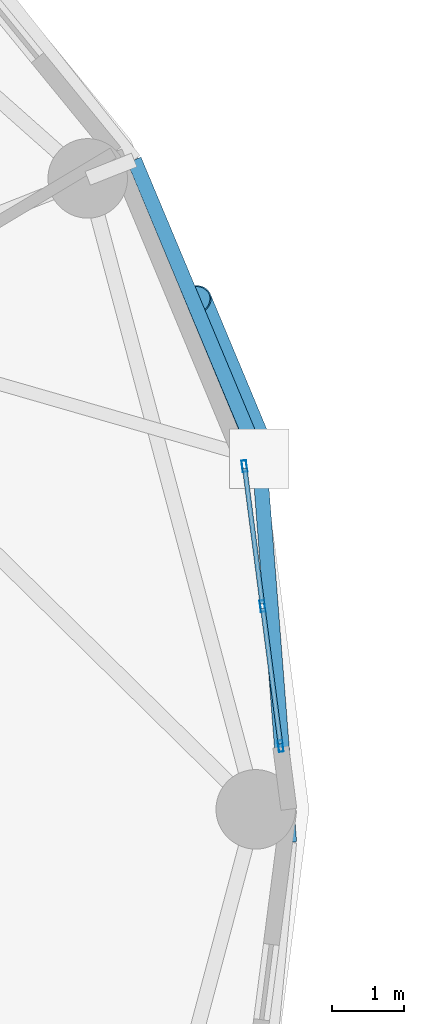
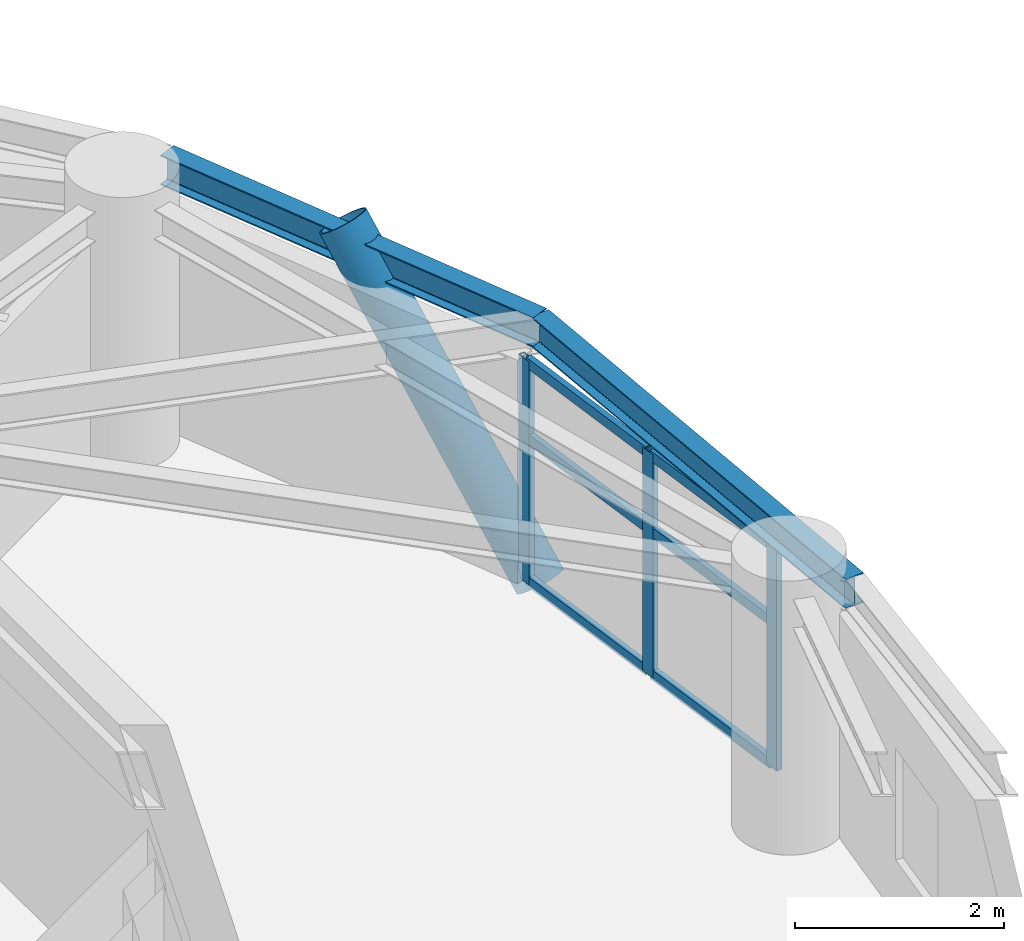
# One storey, part 3 of 16: 10 members, 2 beams, 1 element without a shape of its own.
"""IFC4 building model written with IfcOpenShell, lengths in metres."""

from ifc_helpers import new_model, si_unit, direction, frame, origin, origin_2d, place, context, subcontext, project, spatial, hollow_rectangle, hollow_circle, i_section, extrude, material, layer, layer_set, material_profile, profile_set, type_object, element, aggregate, save


model = new_model("IFC4")

# Units and contexts
model_context = context("Model", 3, precision=1e-05, world=origin(), true_north=direction((0.0, 1.0)))
body_context = subcontext(model_context, "Body", "Model", "MODEL_VIEW")
ifc_project = project(units=[si_unit("LENGTHUNIT", "METRE"), si_unit("AREAUNIT", "SQUARE_METRE"), si_unit("VOLUMEUNIT", "CUBIC_METRE"), si_unit("PLANEANGLEUNIT", "RADIAN"), si_unit("MASSUNIT", "GRAM", prefix="KILO")], contexts=[model_context])

# Site, building, storey
site_placement = place(None, origin())
site = spatial("IfcSite", under=ifc_project, at=site_placement, CompositionType="ELEMENT")
building_placement = place(site_placement, origin())
building = spatial("IfcBuilding", under=site, at=building_placement, Name="Cununo Teusaquillo Station Towers", CompositionType="ELEMENT")
storey_placement = place(building_placement, frame((0.0, 0.0, 226.050048828125)))
storey = spatial("IfcBuildingStorey", under=building, at=storey_placement, Name="L72", CompositionType="ELEMENT", Elevation=226.050048828125)

# Beams
ifc_material_1 = material(Name="Steel ASTM A572 Grade 50", Category="steel")
ifc_material_profile_1 = material_profile(ifc_material_1, i_section(OverallWidth=0.2041015625, OverallDepth=0.35009765625, WebThickness=0.008544921875, FlangeThickness=0.01513671875, FilletRadius=0.011962890625, at=origin_2d()), Name="W14X48")
ifc_profile_set_1 = profile_set([ifc_material_profile_1], Name="Steel ASTM A572 Grade 50")
beam_type = type_object("IfcBeamType", Name="BM-RING-Z4", PredefinedType="SPANDREL", material=ifc_profile_set_1)
beam_1_placement = place(storey_placement, frame((29.135498046875, 24.044189453125, 2.81494140625), z_axis=(-0.077871988965, 0.996963366095, 0.0), x_axis=(-0.996963366095, -0.077871988965, 0.0)))
element("IfcBeam", 1, at=beam_1_placement, inside=storey, type_object=beam_type, Name="L72 Tower A Spandrel Ring Beam 01", PredefinedType="SPANDREL", context=body_context, shape_type="SweptSolid", body=[
    extrude(i_section(OverallWidth=0.2041015625, OverallDepth=0.35009765625, WebThickness=0.008544921875, FlangeThickness=0.01513671875, FilletRadius=0.011962890625, at=origin_2d()), origin(), (0.0, 0.0, 1.0), 5.3203125),
])
beam_2_placement = place(storey_placement, frame((28.72119140625, 29.348388671875, 2.81494140625), z_axis=(-0.386115454066, 0.922450462698, 0.0), x_axis=(-0.922450462698, -0.386115454066, 0.0)))
element("IfcBeam", 2, at=beam_2_placement, inside=storey, type_object=beam_type, Name="L72 Tower A Spandrel Ring Beam 02", PredefinedType="SPANDREL", context=body_context, shape_type="SweptSolid", body=[
    extrude(i_section(OverallWidth=0.2041015625, OverallDepth=0.35009765625, WebThickness=0.008544921875, FlangeThickness=0.01513671875, FilletRadius=0.011962890625, at=origin_2d()), origin(), (0.0, 0.0, 1.0), 4.482421875),
])

# Curtain wall, members
ifc_material_2 = material(Name="Ceramic-fritted dark low-E double glazing", Category="glass")
ifc_layer = layer(ifc_material_2, 0.179931640625)
ifc_layer_set = layer_set([ifc_layer], Name="Ceramic-fritted dark low-E double glazing")
curtain_wall_type = type_object("IfcCurtainWallType", Name="CW-SYS-07", PredefinedType="USERDEFINED", material=ifc_layer_set)
curtain_wall_placement = place(storey_placement, origin())
curtain_wall = element("IfcCurtainWall", 3, at=curtain_wall_placement, inside=storey, type_object=curtain_wall_type, Name="L72 Tower A Facade Curtain Wall C00", ObjectType="FRITTED GLAZING", PredefinedType="USERDEFINED")
ifc_material_3 = material(Name="Anodised dark bronze aluminium EN AW-6063-T6", Category="aluminium")
ifc_material_profile_2 = material_profile(ifc_material_3, hollow_rectangle(XDim=0.06494140625, YDim=0.159912109375, WallThickness=0.00390625, at=origin_2d()), Name="CW-MULL-65x160")
ifc_profile_set_2 = profile_set([ifc_material_profile_2], Name="Anodised dark bronze aluminium EN AW-6063-T6")
member_type_1 = type_object("IfcMemberType", Name="CWM-160", PredefinedType="MULLION", material=ifc_profile_set_2)
member_1_placement = place(storey_placement, frame((28.515869140625, 29.248291015625, 0.0), z_axis=(0.0, 0.0, 1.0), x_axis=(0.991741528461, 0.12825264413, 0.0)))
member_1 = element("IfcMember", 4, at=member_1_placement, type_object=member_type_1, Name="CW-07 mullion 1", PredefinedType="MULLION", context=body_context, shape_type="SweptSolid", body=[
    extrude(hollow_rectangle(XDim=0.06494140625, YDim=0.159912109375, WallThickness=0.00390625, at=origin_2d()), origin(), (0.0, 0.0, 1.0), 2.612060546875),
])
member_2_placement = place(storey_placement, frame((28.766357421875, 27.311767578125, 0.0), z_axis=(0.0, 0.0, 1.0), x_axis=(0.991741528461, 0.12825264413, 0.0)))
member_2 = element("IfcMember", 5, at=member_2_placement, type_object=member_type_1, Name="CW-07 mullion 2", PredefinedType="MULLION", context=body_context, shape_type="SweptSolid", body=[
    extrude(hollow_rectangle(XDim=0.06494140625, YDim=0.159912109375, WallThickness=0.00390625, at=origin_2d()), origin(), (0.0, 0.0, 1.0), 2.612060546875),
])
member_3_placement = place(storey_placement, frame((29.016845703125, 25.375244140625, 0.0), z_axis=(0.0, 0.0, 1.0), x_axis=(0.991741528461, 0.12825264413, 0.0)))
member_3 = element("IfcMember", 6, at=member_3_placement, type_object=member_type_1, Name="CW-07 mullion 3", PredefinedType="MULLION", context=body_context, shape_type="SweptSolid", body=[
    extrude(hollow_rectangle(XDim=0.06494140625, YDim=0.159912109375, WallThickness=0.00390625, at=origin_2d()), origin(), (0.0, 0.0, 1.0), 2.612060546875),
])
ifc_material_4 = material(Name="Anodised dark bronze aluminium EN AW-6063-T6", Category="aluminium")
ifc_material_profile_3 = material_profile(ifc_material_4, hollow_rectangle(XDim=0.06494140625, YDim=0.1201171875, WallThickness=0.00390625, at=origin_2d()), Name="CW-TRAN-65x120")
ifc_profile_set_3 = profile_set([ifc_material_profile_3], Name="Anodised dark bronze aluminium EN AW-6063-T6")
member_type_2 = type_object("IfcMemberType", Name="CWT-120", PredefinedType="USERDEFINED", material=ifc_profile_set_3)
member_4_placement = place(storey_placement, frame((28.52001953125, 29.216064453125, 0.032470703125), z_axis=(0.128299630595, -0.99173545101, 0.0), x_axis=(0.99173545101, 0.128299630595, 0.0)))
member_4 = element("IfcMember", 7, at=member_4_placement, type_object=member_type_2, Name="CW-07 transom 1.1", ObjectType="TRANSOM", PredefinedType="USERDEFINED", context=body_context, shape_type="SweptSolid", body=[
    extrude(hollow_rectangle(XDim=0.06494140625, YDim=0.1201171875, WallThickness=0.00390625, at=origin_2d()), origin(), (0.0, 0.0, 1.0), 1.8876953125),
])
member_5_placement = place(storey_placement, frame((28.52001953125, 29.216064453125, 1.697998046875), z_axis=(0.128299630595, -0.99173545101, 0.0), x_axis=(0.99173545101, 0.128299630595, 0.0)))
member_5 = element("IfcMember", 8, at=member_5_placement, type_object=member_type_2, Name="CW-07 transom 1.2", ObjectType="TRANSOM", PredefinedType="USERDEFINED", context=body_context, shape_type="SweptSolid", body=[
    extrude(hollow_rectangle(XDim=0.06494140625, YDim=0.1201171875, WallThickness=0.00390625, at=origin_2d()), origin(), (0.0, 0.0, 1.0), 1.8876953125),
])
member_6_placement = place(storey_placement, frame((28.52001953125, 29.216064453125, 2.579345703125), z_axis=(0.128299630595, -0.99173545101, 0.0), x_axis=(0.99173545101, 0.128299630595, 0.0)))
member_6 = element("IfcMember", 9, at=member_6_placement, type_object=member_type_2, Name="CW-07 transom 1.3", ObjectType="TRANSOM", PredefinedType="USERDEFINED", context=body_context, shape_type="SweptSolid", body=[
    extrude(hollow_rectangle(XDim=0.06494140625, YDim=0.1201171875, WallThickness=0.00390625, at=origin_2d()), origin(), (0.0, 0.0, 1.0), 1.8876953125),
])
member_7_placement = place(storey_placement, frame((28.7705078125, 27.279541015625, 0.032470703125), z_axis=(0.128299630595, -0.99173545101, 0.0), x_axis=(0.99173545101, 0.128299630595, 0.0)))
member_7 = element("IfcMember", 10, at=member_7_placement, type_object=member_type_2, Name="CW-07 transom 2.1", ObjectType="TRANSOM", PredefinedType="USERDEFINED", context=body_context, shape_type="SweptSolid", body=[
    extrude(hollow_rectangle(XDim=0.06494140625, YDim=0.1201171875, WallThickness=0.00390625, at=origin_2d()), origin(), (0.0, 0.0, 1.0), 1.8876953125),
])
member_8_placement = place(storey_placement, frame((28.7705078125, 27.279541015625, 1.697998046875), z_axis=(0.128299630595, -0.99173545101, 0.0), x_axis=(0.99173545101, 0.128299630595, 0.0)))
member_8 = element("IfcMember", 11, at=member_8_placement, type_object=member_type_2, Name="CW-07 transom 2.2", ObjectType="TRANSOM", PredefinedType="USERDEFINED", context=body_context, shape_type="SweptSolid", body=[
    extrude(hollow_rectangle(XDim=0.06494140625, YDim=0.1201171875, WallThickness=0.00390625, at=origin_2d()), origin(), (0.0, 0.0, 1.0), 1.8876953125),
])
member_9_placement = place(storey_placement, frame((28.7705078125, 27.279541015625, 2.579345703125), z_axis=(0.128299630595, -0.99173545101, 0.0), x_axis=(0.99173545101, 0.128299630595, 0.0)))
member_9 = element("IfcMember", 12, at=member_9_placement, type_object=member_type_2, Name="CW-07 transom 2.3", ObjectType="TRANSOM", PredefinedType="USERDEFINED", context=body_context, shape_type="SweptSolid", body=[
    extrude(hollow_rectangle(XDim=0.06494140625, YDim=0.1201171875, WallThickness=0.00390625, at=origin_2d()), origin(), (0.0, 0.0, 1.0), 1.8876953125),
])
aggregate(curtain_wall, [member_1, member_2, member_3, member_4, member_5, member_6, member_7, member_8, member_9])

# Member
ifc_material_5 = material(Name="Steel EN 10025-2 S355J2", Category="steel")
ifc_material_profile_4 = material_profile(ifc_material_5, hollow_circle(Radius=0.25390625, WallThickness=0.01806640625, at=origin_2d()), Name="CHS 508x18")
ifc_profile_set_4 = profile_set([ifc_material_profile_4], Name="Steel EN 10025-2 S355J2")
member_type_3 = type_object("IfcMemberType", Name="MBR-DIAG-Z4", PredefinedType="BRACE", material=ifc_profile_set_4)
member_10_placement = place(storey_placement, frame((28.72119140625, 29.348388671875, -0.14013671875), z_axis=(-0.229175085021, 0.549210918036, 0.803645536238), x_axis=(-0.922875628603, -0.385098135713, 0.0)))
element("IfcMember", 13, at=member_10_placement, inside=storey, type_object=member_type_3, Name="L72 Tower A Folded-Zigzag Diagrid Tube C01", PredefinedType="BRACE", context=body_context, shape_type="SweptSolid", body=[
    extrude(hollow_circle(Radius=0.25390625, WallThickness=0.01806640625, at=origin_2d()), origin(), (0.0, 0.0, 1.0), 3.982177734375),
])

save(model, "model.ifc")
